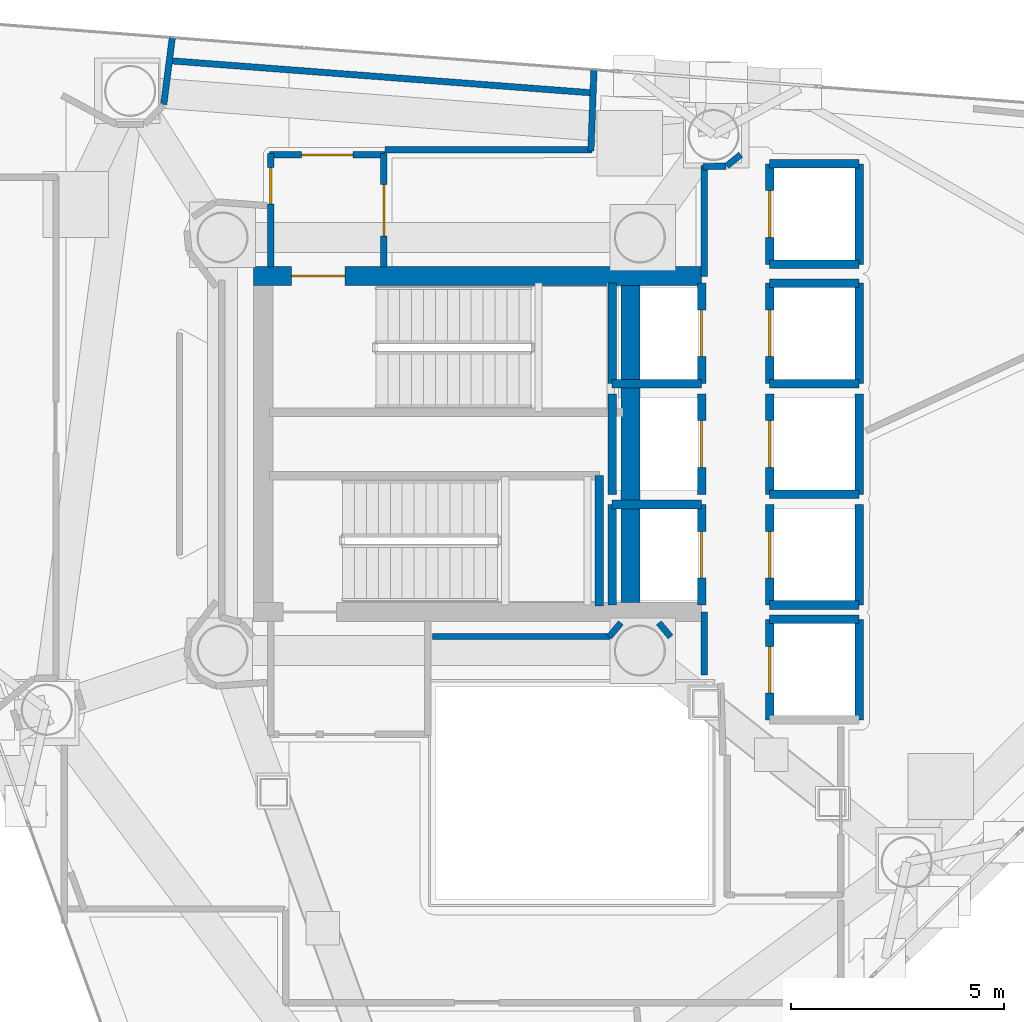
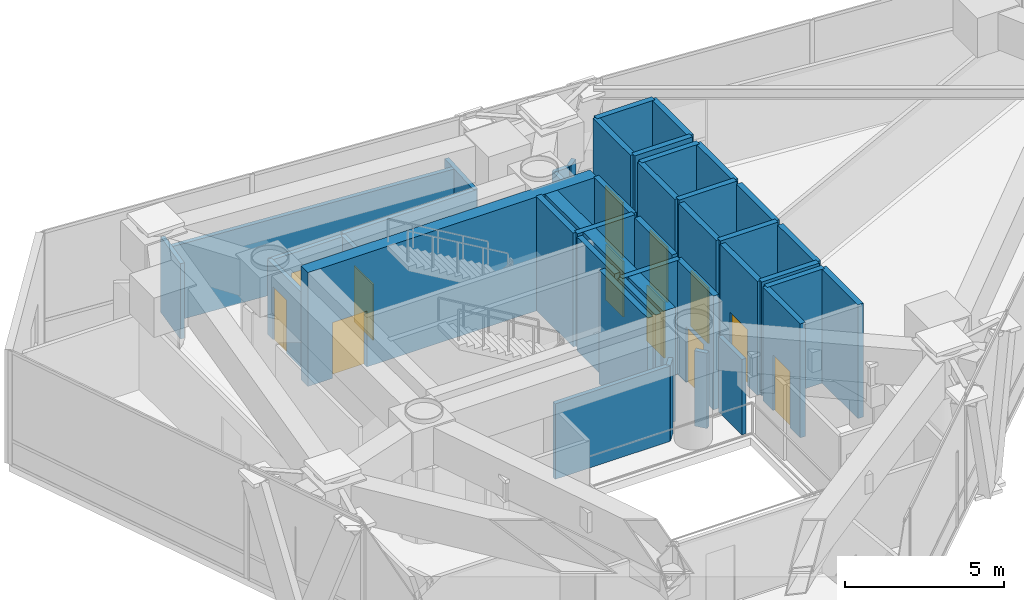
# One storey, part 17 of 20: 42 walls, 12 doors, 12 openings.
"""IFC4 building model written with IfcOpenShell, lengths in metres."""

from ifc_helpers import new_model, si_unit, direction, frame, frame_2d, origin, place, context, subcontext, project, spatial, rectangle, extrude, material, layer, layer_set, type_object, element, fill, save


model = new_model("IFC4")

# Units and contexts
model_context = context("Model", 3, precision=1e-05, world=origin(), true_north=direction((0.0, 1.0)))
body_context = subcontext(model_context, "Body", "Model", "MODEL_VIEW")
ifc_project = project(units=[si_unit("LENGTHUNIT", "METRE"), si_unit("AREAUNIT", "SQUARE_METRE"), si_unit("VOLUMEUNIT", "CUBIC_METRE"), si_unit("PLANEANGLEUNIT", "RADIAN"), si_unit("MASSUNIT", "GRAM", prefix="KILO")], contexts=[model_context])

# Site, building, storey
site_placement = place(None, origin())
site = spatial("IfcSite", under=ifc_project, at=site_placement, CompositionType="ELEMENT")
building_placement = place(site_placement, origin())
building = spatial("IfcBuilding", under=site, at=building_placement, Name="Qianvela Tower", CompositionType="ELEMENT")
storey_placement = place(building_placement, frame((0.0, 0.0, 229.89990234375)))
storey = spatial("IfcBuildingStorey", under=building, at=storey_placement, Name="L59", CompositionType="ELEMENT", Elevation=229.89990234375)

# Wall, opening, door
ifc_material_1 = material(Name="Concrete C50", Category="concrete")
ifc_layer_1 = layer(ifc_material_1, 0.449951171875)
ifc_layer_set_1 = layer_set([ifc_layer_1], Name="Concrete C50")
wall_type_1 = type_object("IfcWallType", Name="WT-CORE-450", PredefinedType="SHEAR", material=ifc_layer_set_1)
wall_1_placement = place(storey_placement, frame((29.330078125, 32.64501953125, 0.0), z_axis=(0.0, 0.0, 1.0), x_axis=(1.0, 0.0, 0.0)))
wall_1 = element("IfcWall", 1, at=wall_1_placement, inside=storey, type_object=wall_type_1, Name="L59 North Core Shear Wall", PredefinedType="SHEAR", context=body_context, shape_type="SweptSolid", body=[
    extrude(rectangle(XDim=10.52001953125, YDim=0.449951171875, at=frame_2d((5.260009765625, 0.0))), origin(), (0.0, 0.0, 1.0), 4.380126953125),
])
opening_1_placement = place(wall_1_placement, frame((0.89501953125, 0.0, 0.0)))
opening_1 = element("IfcOpeningElement", 2, at=opening_1_placement, cuts=wall_1, Name="Opening D-ST1", PredefinedType="OPENING", context=body_context, shape_type="SweptSolid", body=[
    extrude(rectangle(XDim=1.25, YDim=2.14990234375, at=frame_2d((0.625, 1.074951171875))), frame((0.0, 0.23486328125, 0.0), z_axis=(0.0, -1.0, 0.0), x_axis=(1.0, 0.0, 0.0)), (0.0, 0.0, 1.0), 0.469970703125),
])
ifc_material_2 = material(Name="Galvanised Fire Steel Q355B", Category="steel")
door_type_1 = type_object("IfcDoorType", Name="DT-STAIR-FD90", OperationType="NOTDEFINED", PredefinedType="DOOR", material=ifc_material_2)
door_1_placement = place(opening_1_placement, origin())
door_1 = element("IfcDoor", 3, at=door_1_placement, inside=storey, type_object=door_type_1, Name="L59 Stair ST-1 Exit Door", OperationType="SINGLE_SWING_RIGHT", OverallHeight=2.14990234375, OverallWidth=1.25, PredefinedType="DOOR", context=body_context, shape_type="SweptSolid", body=[
    extrude(rectangle(XDim=1.25, YDim=2.14990234375, at=frame_2d((0.625, 1.074951171875))), frame((0.0, 0.02490234375, 0.0), z_axis=(0.0, -1.0, 0.0), x_axis=(1.0, 0.0, 0.0)), (0.0, 0.0, 1.0), 0.050048828125),
])
fill(opening_1, door_1)

# Wall
wall_2_placement = place(storey_placement, frame((38.179931640625, 24.97998046875, 0.0), z_axis=(0.0, 0.0, 1.0), x_axis=(0.0, 1.0, 0.0)))
element("IfcWall", 4, at=wall_2_placement, inside=storey, type_object=wall_type_1, Name="L59 East Spine Core Shear Wall", PredefinedType="SHEAR", context=body_context, shape_type="SweptSolid", body=[
    extrude(rectangle(XDim=7.43994140625, YDim=0.449951171875, at=frame_2d((3.719970703125, 0.0))), origin(), (0.0, 0.0, 1.0), 4.380126953125),
])

# Wall, opening, door
ifc_material_3 = material(Name="Fire-Rated Acoustic Gypsum Board")
ifc_layer_2 = layer(ifc_material_3, 0.14990234375)
ifc_layer_set_2 = layer_set([ifc_layer_2], Name="Fire-Rated Acoustic Gypsum Board")
wall_type_2 = type_object("IfcWallType", Name="WT-CORR-150", PredefinedType="PARTITIONING", material=ifc_layer_set_2)
wall_3_placement = place(storey_placement, frame((29.73095703125, 32.85791015625, 0.0), z_axis=(0.0, 0.0, 1.0), x_axis=(0.0, 1.0, 0.0)))
wall_3 = element("IfcWall", 5, at=wall_3_placement, inside=storey, type_object=wall_type_2, Name="L59 Partition 2", PredefinedType="PARTITIONING", context=body_context, shape_type="SweptSolid", body=[
    extrude(rectangle(XDim=2.662109375, YDim=0.14990234375, at=frame_2d((1.3310546875, 0.0))), origin(), (0.0, 0.0, 1.0), 2.900146484375),
])
opening_2_placement = place(wall_3_placement, frame((1.478271484375, 0.0, 0.0)))
opening_2 = element("IfcOpeningElement", 6, at=opening_2_placement, cuts=wall_3, Name="Opening D-LB2", PredefinedType="OPENING", context=body_context, shape_type="SweptSolid", body=[
    extrude(rectangle(XDim=0.860107421875, YDim=2.050048828125, at=frame_2d((0.43017578125, 1.02490234375))), frame((0.0, 0.0849609375, 0.0), z_axis=(0.0, -1.0, 0.0), x_axis=(1.0, 0.0, 0.0)), (0.0, 0.0, 1.0), 0.169921875),
])
ifc_material_4 = material(Name="Insulated Steel Fire Door Q355B", Category="steel")
door_type_2 = type_object("IfcDoorType", Name="DT-LOBBY-FD90-860", OperationType="NOTDEFINED", PredefinedType="DOOR", material=ifc_material_4)
door_2_placement = place(opening_2_placement, origin())
door_2 = element("IfcDoor", 7, at=door_2_placement, inside=storey, type_object=door_type_2, Name="L59 Door L59 Firefighting Lobby North to L59 Mechanical Plant Corridor", OperationType="SINGLE_SWING_LEFT", OverallHeight=2.050048828125, OverallWidth=0.860107421875, PredefinedType="DOOR", context=body_context, shape_type="SweptSolid", body=[
    extrude(rectangle(XDim=0.860107421875, YDim=2.050048828125, at=frame_2d((0.43017578125, 1.02490234375))), frame((0.0, 0.02490234375, 0.0), z_axis=(0.0, -1.0, 0.0), x_axis=(1.0, 0.0, 0.0)), (0.0, 0.0, 1.0), 0.050048828125),
])
fill(opening_2, door_2)

wall_4_placement = place(storey_placement, frame((29.699951171875, 35.489013671875, 0.0), z_axis=(0.0, 0.0, 1.0), x_axis=(1.0, 0.0, 0.0)))
wall_4 = element("IfcWall", 8, at=wall_4_placement, inside=storey, type_object=wall_type_2, Name="L59 Partition 3", PredefinedType="PARTITIONING", context=body_context, shape_type="SweptSolid", body=[
    extrude(rectangle(XDim=2.719970703125, YDim=0.14990234375, at=frame_2d((1.35986328125, 0.0))), origin(), (0.0, 0.0, 1.0), 2.900146484375),
])
opening_3_placement = place(wall_4_placement, frame((0.760009765625, 0.0, 0.0)))
opening_3 = element("IfcOpeningElement", 9, at=opening_3_placement, cuts=wall_4, Name="Opening D-LB1", PredefinedType="OPENING", context=body_context, shape_type="SweptSolid", body=[
    extrude(rectangle(XDim=1.199951171875, YDim=2.14990234375, at=frame_2d((0.60009765625, 1.074951171875))), frame((0.0, 0.0849609375, 0.0), z_axis=(0.0, -1.0, 0.0), x_axis=(1.0, 0.0, 0.0)), (0.0, 0.0, 1.0), 0.169921875),
])
ifc_material_5 = material(Name="Glazed Fire-Rated Steel Frame", Category="steel")
door_type_3 = type_object("IfcDoorType", Name="DT-LOBBY-FD90", OperationType="NOTDEFINED", PredefinedType="DOOR", material=ifc_material_5)
door_3_placement = place(opening_3_placement, origin())
door_3 = element("IfcDoor", 10, at=door_3_placement, inside=storey, type_object=door_type_3, Name="L59 Door L59 Firefighting Lobby North to L59 Mechanical Plant Corridor", OperationType="SINGLE_SWING_LEFT", OverallHeight=2.14990234375, OverallWidth=1.199951171875, PredefinedType="DOOR", context=body_context, shape_type="SweptSolid", body=[
    extrude(rectangle(XDim=1.199951171875, YDim=2.14990234375, at=frame_2d((0.60009765625, 1.074951171875))), frame((0.0, 0.02490234375, 0.0), z_axis=(0.0, -1.0, 0.0), x_axis=(1.0, 0.0, 0.0)), (0.0, 0.0, 1.0), 0.050048828125),
])
fill(opening_3, door_3)

wall_5_placement = place(storey_placement, frame((32.388916015625, 35.52001953125, 0.0), z_axis=(0.0, 0.0, 1.0), x_axis=(0.0, -1.0, 0.0)))
wall_5 = element("IfcWall", 11, at=wall_5_placement, inside=storey, type_object=wall_type_2, Name="L59 Partition 4", PredefinedType="PARTITIONING", context=body_context, shape_type="SweptSolid", body=[
    extrude(rectangle(XDim=2.662109375, YDim=0.14990234375, at=frame_2d((1.3310546875, 0.0))), origin(), (0.0, 0.0, 1.0), 2.900146484375),
])
opening_4_placement = place(wall_5_placement, frame((0.73095703125, 0.0, 0.0)))
opening_4 = element("IfcOpeningElement", 12, at=opening_4_placement, cuts=wall_5, Name="Opening D-LB1", PredefinedType="OPENING", context=body_context, shape_type="SweptSolid", body=[
    extrude(rectangle(XDim=1.199951171875, YDim=2.14990234375, at=frame_2d((0.60009765625, 1.074951171875))), frame((0.0, 0.0849609375, 0.0), z_axis=(0.0, -1.0, 0.0), x_axis=(1.0, 0.0, 0.0)), (0.0, 0.0, 1.0), 0.169921875),
])
door_4_placement = place(opening_4_placement, origin())
door_4 = element("IfcDoor", 13, at=door_4_placement, inside=storey, type_object=door_type_3, Name="L59 Door L59 Fire Refuge Area 3 to L59 Firefighting Lobby North", OperationType="SINGLE_SWING_LEFT", OverallHeight=2.14990234375, OverallWidth=1.199951171875, PredefinedType="DOOR", context=body_context, shape_type="SweptSolid", body=[
    extrude(rectangle(XDim=1.199951171875, YDim=2.14990234375, at=frame_2d((0.60009765625, 1.074951171875))), frame((0.0, 0.02490234375, 0.0), z_axis=(0.0, -1.0, 0.0), x_axis=(1.0, 0.0, 0.0)), (0.0, 0.0, 1.0), 0.050048828125),
])
fill(opening_4, door_4)

# Walls
wall_6_placement = place(storey_placement, frame((39.910888671875, 23.280029296875, 0.0), z_axis=(0.0, 0.0, 1.0), x_axis=(0.0, 1.0, 0.0)))
element("IfcWall", 14, at=wall_6_placement, inside=storey, type_object=wall_type_2, Name="L59 Partition 10", PredefinedType="PARTITIONING", context=body_context, shape_type="SweptSolid", body=[
    extrude(rectangle(XDim=1.47998046875, YDim=0.14990234375, at=frame_2d((0.739990234375, 0.0))), origin(), (0.0, 0.0, 1.0), 2.900146484375),
])
wall_7_placement = place(storey_placement, frame((39.910888671875, 32.639892578125, 0.0), z_axis=(0.0, 0.0, 1.0), x_axis=(0.0, 1.0, 0.0)))
element("IfcWall", 15, at=wall_7_placement, inside=storey, type_object=wall_type_2, Name="L59 Partition 12", PredefinedType="PARTITIONING", context=body_context, shape_type="SweptSolid", body=[
    extrude(rectangle(XDim=2.60400390625, YDim=0.14990234375, at=frame_2d((1.302001953125, 0.0))), origin(), (0.0, 0.0, 1.0), 2.900146484375),
])
wall_8_placement = place(storey_placement, frame((39.880615234375, 35.212890625, 0.0), z_axis=(0.0, 0.0, 1.0), x_axis=(0.999756500784, 0.02206669754, 0.0)))
element("IfcWall", 16, at=wall_8_placement, inside=storey, type_object=wall_type_2, Name="L59 Partition 13", PredefinedType="PARTITIONING", context=body_context, shape_type="SweptSolid", body=[
    extrude(rectangle(XDim=0.542236328125, YDim=0.14990234375, at=frame_2d((0.27099609375, 0.0))), origin(), (0.0, 0.0, 1.0), 2.900146484375),
])
wall_9_placement = place(storey_placement, frame((40.44140625, 35.231689453125, 0.0), z_axis=(0.0, 0.0, 1.0), x_axis=(0.778714564707, 0.627378376033, 0.0)))
element("IfcWall", 17, at=wall_9_placement, inside=storey, type_object=wall_type_2, Name="L59 Partition 14", PredefinedType="PARTITIONING", context=body_context, shape_type="SweptSolid", body=[
    extrude(rectangle(XDim=0.421142578125, YDim=0.14990234375, at=frame_2d((0.21044921875, 0.0))), origin(), (0.0, 0.0, 1.0), 2.900146484375),
])
for number, where, z_axis, x_axis, name in (
    (18, (39.12109375, 24.169921875, 0.0), (0.0, 0.0, 1.0), (-0.638008265708, 0.770029514296, 0.0), "L59 Partition 31"),
    (19, (37.953857421875, 24.501708984375, 0.0), (0.0, 0.0, 1.0), (-0.638008265708, -0.770029514296, 0.0), "L59 Partition 34"),
):
    element("IfcWall", number, at=place(storey_placement, frame(where, z_axis=z_axis, x_axis=x_axis)), inside=storey, type_object=wall_type_2, Name=name, PredefinedType="PARTITIONING", context=body_context, shape_type="SweptSolid", body=[
        extrude(rectangle(XDim=0.430908203125, YDim=0.14990234375, at=frame_2d((0.21533203125, 0.0))), origin(), (0.0, 0.0, 1.0), 2.900146484375),
    ])
wall_10_placement = place(storey_placement, frame((37.70263671875, 24.180908203125, 0.0), z_axis=(0.0, 0.0, 1.0), x_axis=(-1.0, 0.0, 0.0)))
element("IfcWall", 20, at=wall_10_placement, inside=storey, type_object=wall_type_2, Name="L59 Partition 35", PredefinedType="PARTITIONING", context=body_context, shape_type="SweptSolid", body=[
    extrude(rectangle(XDim=4.172607421875, YDim=0.14990234375, at=frame_2d((2.08642578125, 0.0))), origin(), (0.0, 0.0, 1.0), 2.900146484375),
])
wall_11_placement = place(storey_placement, frame((27.21923828125, 36.67431640625, 0.0), z_axis=(0.0, 0.0, 1.0), x_axis=(0.127378788814, 0.9918541446, 0.0)))
element("IfcWall", 21, at=wall_11_placement, inside=storey, type_object=wall_type_2, Name="L59 Partition 48", PredefinedType="PARTITIONING", context=body_context, shape_type="SweptSolid", body=[
    extrude(rectangle(XDim=1.608154296875, YDim=0.14990234375, at=frame_2d((0.80419921875, 0.0))), origin(), (0.0, 0.0, 1.0), 2.900146484375),
])
wall_12_placement = place(storey_placement, frame((27.322021484375, 37.704345703125, 0.0), z_axis=(0.0, 0.0, 1.0), x_axis=(0.997115114971, -0.075904199464, 0.0)))
element("IfcWall", 22, at=wall_12_placement, inside=storey, type_object=wall_type_2, Name="L59 Partition 49", PredefinedType="PARTITIONING", context=body_context, shape_type="SweptSolid", body=[
    extrude(rectangle(XDim=10.03857421875, YDim=0.14990234375, at=frame_2d((5.019287109375, 0.0))), origin(), (0.0, 0.0, 1.0), 2.900146484375),
])
wall_13_placement = place(storey_placement, frame((37.323486328125, 37.515625, 0.0), z_axis=(0.0, 0.0, 1.0), x_axis=(-0.03796327397, -0.999279135092, 0.0)))
element("IfcWall", 23, at=wall_13_placement, inside=storey, type_object=wall_type_2, Name="L59 Partition 50", PredefinedType="PARTITIONING", context=body_context, shape_type="SweptSolid", body=[
    extrude(rectangle(XDim=1.935791015625, YDim=0.14990234375, at=frame_2d((0.9677734375, 0.0))), origin(), (0.0, 0.0, 1.0), 2.900146484375),
])
wall_14_placement = place(storey_placement, frame((37.281005859375, 35.611083984375, 0.0), z_axis=(0.0, 0.0, 1.0), x_axis=(-0.999999994955, 0.000100446989, 0.0)))
element("IfcWall", 24, at=wall_14_placement, inside=storey, type_object=wall_type_2, Name="L59 Partition 51 seg 1", PredefinedType="PARTITIONING", context=body_context, shape_type="SweptSolid", body=[
    extrude(rectangle(XDim=4.861083984375, YDim=0.14990234375, at=frame_2d((2.4306640625, 0.0))), origin(), (0.0, 0.0, 1.0), 2.900146484375),
])
ifc_material_6 = material(Name="Concrete C50", Category="concrete")
ifc_layer_3 = layer(ifc_material_6, 0.199951171875)
ifc_layer_set_3 = layer_set([ifc_layer_3], Name="Concrete C50")
wall_type_3 = type_object("IfcWallType", Name="WT-SHAFT-200", PredefinedType="SOLIDWALL", material=ifc_layer_set_3)
wall_15_placement = place(storey_placement, frame((37.449951171875, 24.89990234375, 0.0), z_axis=(0.0, 0.0, 1.0), x_axis=(0.0, 1.0, 0.0)))
element("IfcWall", 25, at=wall_15_placement, inside=storey, type_object=wall_type_3, Name="L59 Stair ST-2 East Wall", PredefinedType="SOLIDWALL", context=body_context, shape_type="SweptSolid", body=[
    extrude(rectangle(XDim=3.06005859375, YDim=0.199951171875, at=frame_2d((1.530029296875, 0.0))), origin(), (0.0, 0.0, 1.0), 4.380126953125),
])

# Wall, opening, door
wall_16_placement = place(storey_placement, frame((39.85009765625, 30.1201171875, 0.0), z_axis=(0.0, 0.0, 1.0), x_axis=(0.0, 1.0, 0.0)))
wall_16 = element("IfcWall", 26, at=wall_16_placement, inside=storey, type_object=wall_type_3, Name="L59 Lift FL-1 E Shaft Wall", PredefinedType="SOLIDWALL", context=body_context, shape_type="SweptSolid", body=[
    extrude(rectangle(XDim=2.35986328125, YDim=0.199951171875, at=frame_2d((1.179931640625, 0.0))), origin(), (0.0, 0.0, 1.0), 4.380126953125),
])
opening_5_placement = place(wall_16_placement, frame((0.6298828125, 0.0, 0.0)))
opening_5 = element("IfcOpeningElement", 27, at=opening_5_placement, cuts=wall_16, Name="Opening LD-01", PredefinedType="OPENING", context=body_context, shape_type="SweptSolid", body=[
    extrude(rectangle(XDim=1.10009765625, YDim=2.14990234375, at=frame_2d((0.550048828125, 1.074951171875))), frame((0.0, 0.10986328125, 0.0), z_axis=(0.0, -1.0, 0.0), x_axis=(1.0, 0.0, 0.0)), (0.0, 0.0, 1.0), 0.219970703125),
])
ifc_material_7 = material(Name="Brushed Stainless Steel Lift Landing Door", Category="steel")
door_type_4 = type_object("IfcDoorType", Name="DT-LIFT-SLIDE-1100", OperationType="SLIDING_TO_LEFT", PredefinedType="DOOR", material=ifc_material_7)
door_5_placement = place(opening_5_placement, origin())
door_5 = element("IfcDoor", 28, at=door_5_placement, inside=storey, type_object=door_type_4, Name="L59 Lift FL-1 Sliding Landing Door", OperationType="SLIDING_TO_LEFT", OverallHeight=2.14990234375, OverallWidth=1.10009765625, PredefinedType="DOOR", context=body_context, shape_type="SweptSolid", body=[
    extrude(rectangle(XDim=1.10009765625, YDim=2.14990234375, at=frame_2d((0.550048828125, 1.074951171875))), frame((0.0, 0.02490234375, 0.0), z_axis=(0.0, -1.0, 0.0), x_axis=(1.0, 0.0, 0.0)), (0.0, 0.0, 1.0), 0.050048828125),
])
fill(opening_5, door_5)

# Walls
wall_17_placement = place(storey_placement, frame((37.75, 30.1201171875, 0.0), z_axis=(0.0, 0.0, 1.0), x_axis=(0.0, 1.0, 0.0)))
element("IfcWall", 29, at=wall_17_placement, inside=storey, type_object=wall_type_3, Name="L59 Lift FL-1 W Shaft Wall", PredefinedType="SOLIDWALL", context=body_context, shape_type="SweptSolid", body=[
    extrude(rectangle(XDim=2.35986328125, YDim=0.199951171875, at=frame_2d((1.179931640625, 0.0))), origin(), (0.0, 0.0, 1.0), 4.380126953125),
])
wall_18_placement = place(storey_placement, frame((37.75, 30.1201171875, 0.0), z_axis=(0.0, 0.0, 1.0), x_axis=(1.0, 0.0, 0.0)))
element("IfcWall", 30, at=wall_18_placement, inside=storey, type_object=wall_type_3, Name="L59 Lift FL-1 S Shaft Wall", PredefinedType="SOLIDWALL", context=body_context, shape_type="SweptSolid", body=[
    extrude(rectangle(XDim=2.10009765625, YDim=0.199951171875, at=frame_2d((1.050048828125, 0.0))), origin(), (0.0, 0.0, 1.0), 4.380126953125),
])

# Wall, opening, door
wall_19_placement = place(storey_placement, frame((39.85009765625, 24.919921875, 0.0), z_axis=(0.0, 0.0, 1.0), x_axis=(0.0, 1.0, 0.0)))
wall_19 = element("IfcWall", 31, at=wall_19_placement, inside=storey, type_object=wall_type_3, Name="L59 Lift FL-2 E Shaft Wall", PredefinedType="SOLIDWALL", context=body_context, shape_type="SweptSolid", body=[
    extrude(rectangle(XDim=2.360107421875, YDim=0.199951171875, at=frame_2d((1.18017578125, 0.0))), origin(), (0.0, 0.0, 1.0), 4.380126953125),
])
opening_6_placement = place(wall_19_placement, frame((0.6298828125, 0.0, 0.0)))
opening_6 = element("IfcOpeningElement", 32, at=opening_6_placement, cuts=wall_19, Name="Opening LD-01", PredefinedType="OPENING", context=body_context, shape_type="SweptSolid", body=[
    extrude(rectangle(XDim=1.10009765625, YDim=2.14990234375, at=frame_2d((0.550048828125, 1.074951171875))), frame((0.0, 0.10986328125, 0.0), z_axis=(0.0, -1.0, 0.0), x_axis=(1.0, 0.0, 0.0)), (0.0, 0.0, 1.0), 0.219970703125),
])
door_6_placement = place(opening_6_placement, origin())
door_6 = element("IfcDoor", 33, at=door_6_placement, inside=storey, type_object=door_type_4, Name="L59 Lift FL-2 Sliding Landing Door", OperationType="SLIDING_TO_LEFT", OverallHeight=2.14990234375, OverallWidth=1.10009765625, PredefinedType="DOOR", context=body_context, shape_type="SweptSolid", body=[
    extrude(rectangle(XDim=1.10009765625, YDim=2.14990234375, at=frame_2d((0.550048828125, 1.074951171875))), frame((0.0, 0.02490234375, 0.0), z_axis=(0.0, -1.0, 0.0), x_axis=(1.0, 0.0, 0.0)), (0.0, 0.0, 1.0), 0.050048828125),
])
fill(opening_6, door_6)

# Walls
wall_20_placement = place(storey_placement, frame((37.75, 24.919921875, 0.0), z_axis=(0.0, 0.0, 1.0), x_axis=(0.0, 1.0, 0.0)))
element("IfcWall", 34, at=wall_20_placement, inside=storey, type_object=wall_type_3, Name="L59 Lift FL-2 W Shaft Wall", PredefinedType="SOLIDWALL", context=body_context, shape_type="SweptSolid", body=[
    extrude(rectangle(XDim=2.360107421875, YDim=0.199951171875, at=frame_2d((1.18017578125, 0.0))), origin(), (0.0, 0.0, 1.0), 4.380126953125),
])
wall_21_placement = place(storey_placement, frame((37.75, 27.280029296875, 0.0), z_axis=(0.0, 0.0, 1.0), x_axis=(1.0, 0.0, 0.0)))
element("IfcWall", 35, at=wall_21_placement, inside=storey, type_object=wall_type_3, Name="L59 Lift FL-2 N Shaft Wall", PredefinedType="SOLIDWALL", context=body_context, shape_type="SweptSolid", body=[
    extrude(rectangle(XDim=2.10009765625, YDim=0.199951171875, at=frame_2d((1.050048828125, 0.0))), origin(), (0.0, 0.0, 1.0), 4.380126953125),
])
wall_22_placement = place(storey_placement, frame((43.550048828125, 30.1201171875, 0.0), z_axis=(0.0, 0.0, 1.0), x_axis=(0.0, 1.0, 0.0)))
element("IfcWall", 36, at=wall_22_placement, inside=storey, type_object=wall_type_3, Name="L59 Lift PL-M1 E Shaft Wall", PredefinedType="SOLIDWALL", context=body_context, shape_type="SweptSolid", body=[
    extrude(rectangle(XDim=2.35986328125, YDim=0.199951171875, at=frame_2d((1.179931640625, 0.0))), origin(), (0.0, 0.0, 1.0), 4.380126953125),
])

# Wall, opening, door
wall_23_placement = place(storey_placement, frame((41.449951171875, 30.1201171875, 0.0), z_axis=(0.0, 0.0, 1.0), x_axis=(0.0, 1.0, 0.0)))
wall_23 = element("IfcWall", 37, at=wall_23_placement, inside=storey, type_object=wall_type_3, Name="L59 Lift PL-M1 W Shaft Wall", PredefinedType="SOLIDWALL", context=body_context, shape_type="SweptSolid", body=[
    extrude(rectangle(XDim=2.35986328125, YDim=0.199951171875, at=frame_2d((1.179931640625, 0.0))), origin(), (0.0, 0.0, 1.0), 4.380126953125),
])
opening_7_placement = place(wall_23_placement, frame((0.6298828125, 0.0, 0.0)))
opening_7 = element("IfcOpeningElement", 38, at=opening_7_placement, cuts=wall_23, Name="Opening LD-01", PredefinedType="OPENING", context=body_context, shape_type="SweptSolid", body=[
    extrude(rectangle(XDim=1.10009765625, YDim=2.14990234375, at=frame_2d((0.550048828125, 1.074951171875))), frame((0.0, 0.10986328125, 0.0), z_axis=(0.0, -1.0, 0.0), x_axis=(1.0, 0.0, 0.0)), (0.0, 0.0, 1.0), 0.219970703125),
])
door_7_placement = place(opening_7_placement, origin())
door_7 = element("IfcDoor", 39, at=door_7_placement, inside=storey, type_object=door_type_4, Name="L59 Lift PL-M1 Sliding Landing Door", OperationType="SLIDING_TO_LEFT", OverallHeight=2.14990234375, OverallWidth=1.10009765625, PredefinedType="DOOR", context=body_context, shape_type="SweptSolid", body=[
    extrude(rectangle(XDim=1.10009765625, YDim=2.14990234375, at=frame_2d((0.550048828125, 1.074951171875))), frame((0.0, 0.02490234375, 0.0), z_axis=(0.0, -1.0, 0.0), x_axis=(1.0, 0.0, 0.0)), (0.0, 0.0, 1.0), 0.050048828125),
])
fill(opening_7, door_7)

# Walls
for number, where, z_axis, x_axis, name in (
    (40, (41.449951171875, 32.47998046875, 0.0), (0.0, 0.0, 1.0), (1.0, 0.0, 0.0), "L59 Lift PL-M1 N Shaft Wall"),
    (41, (41.449951171875, 30.1201171875, 0.0), (0.0, 0.0, 1.0), (1.0, 0.0, 0.0), "L59 Lift PL-M1 S Shaft Wall"),
):
    element("IfcWall", number, at=place(storey_placement, frame(where, z_axis=z_axis, x_axis=x_axis)), inside=storey, type_object=wall_type_3, Name=name, PredefinedType="SOLIDWALL", context=body_context, shape_type="SweptSolid", body=[
        extrude(rectangle(XDim=2.10009765625, YDim=0.199951171875, at=frame_2d((1.050048828125, 0.0))), origin(), (0.0, 0.0, 1.0), 4.380126953125),
    ])
wall_24_placement = place(storey_placement, frame((43.550048828125, 27.52001953125, 0.0), z_axis=(0.0, 0.0, 1.0), x_axis=(0.0, 1.0, 0.0)))
element("IfcWall", 42, at=wall_24_placement, inside=storey, type_object=wall_type_3, Name="L59 Lift PL-M2 E Shaft Wall", PredefinedType="SOLIDWALL", context=body_context, shape_type="SweptSolid", body=[
    extrude(rectangle(XDim=2.35986328125, YDim=0.199951171875, at=frame_2d((1.179931640625, 0.0))), origin(), (0.0, 0.0, 1.0), 4.380126953125),
])

# Wall, opening, door
wall_25_placement = place(storey_placement, frame((41.449951171875, 27.52001953125, 0.0), z_axis=(0.0, 0.0, 1.0), x_axis=(0.0, 1.0, 0.0)))
wall_25 = element("IfcWall", 43, at=wall_25_placement, inside=storey, type_object=wall_type_3, Name="L59 Lift PL-M2 W Shaft Wall", PredefinedType="SOLIDWALL", context=body_context, shape_type="SweptSolid", body=[
    extrude(rectangle(XDim=2.35986328125, YDim=0.199951171875, at=frame_2d((1.179931640625, 0.0))), origin(), (0.0, 0.0, 1.0), 4.380126953125),
])
opening_8_placement = place(wall_25_placement, frame((0.6298828125, 0.0, 0.0)))
opening_8 = element("IfcOpeningElement", 44, at=opening_8_placement, cuts=wall_25, Name="Opening LD-01", PredefinedType="OPENING", context=body_context, shape_type="SweptSolid", body=[
    extrude(rectangle(XDim=1.10009765625, YDim=2.14990234375, at=frame_2d((0.550048828125, 1.074951171875))), frame((0.0, 0.10986328125, 0.0), z_axis=(0.0, -1.0, 0.0), x_axis=(1.0, 0.0, 0.0)), (0.0, 0.0, 1.0), 0.219970703125),
])
door_8_placement = place(opening_8_placement, origin())
door_8 = element("IfcDoor", 45, at=door_8_placement, inside=storey, type_object=door_type_4, Name="L59 Lift PL-M2 Sliding Landing Door", OperationType="SLIDING_TO_LEFT", OverallHeight=2.14990234375, OverallWidth=1.10009765625, PredefinedType="DOOR", context=body_context, shape_type="SweptSolid", body=[
    extrude(rectangle(XDim=1.10009765625, YDim=2.14990234375, at=frame_2d((0.550048828125, 1.074951171875))), frame((0.0, 0.02490234375, 0.0), z_axis=(0.0, -1.0, 0.0), x_axis=(1.0, 0.0, 0.0)), (0.0, 0.0, 1.0), 0.050048828125),
])
fill(opening_8, door_8)

# Walls
wall_26_placement = place(storey_placement, frame((41.449951171875, 27.52001953125, 0.0), z_axis=(0.0, 0.0, 1.0), x_axis=(1.0, 0.0, 0.0)))
element("IfcWall", 46, at=wall_26_placement, inside=storey, type_object=wall_type_3, Name="L59 Lift PL-M2 S Shaft Wall", PredefinedType="SOLIDWALL", context=body_context, shape_type="SweptSolid", body=[
    extrude(rectangle(XDim=2.10009765625, YDim=0.199951171875, at=frame_2d((1.050048828125, 0.0))), origin(), (0.0, 0.0, 1.0), 4.380126953125),
])
wall_27_placement = place(storey_placement, frame((43.550048828125, 24.919921875, 0.0), z_axis=(0.0, 0.0, 1.0), x_axis=(0.0, 1.0, 0.0)))
element("IfcWall", 47, at=wall_27_placement, inside=storey, type_object=wall_type_3, Name="L59 Lift PL-M3 E Shaft Wall", PredefinedType="SOLIDWALL", context=body_context, shape_type="SweptSolid", body=[
    extrude(rectangle(XDim=2.360107421875, YDim=0.199951171875, at=frame_2d((1.18017578125, 0.0))), origin(), (0.0, 0.0, 1.0), 4.380126953125),
])

# Wall, opening, door
wall_28_placement = place(storey_placement, frame((41.449951171875, 24.919921875, 0.0), z_axis=(0.0, 0.0, 1.0), x_axis=(0.0, 1.0, 0.0)))
wall_28 = element("IfcWall", 48, at=wall_28_placement, inside=storey, type_object=wall_type_3, Name="L59 Lift PL-M3 W Shaft Wall", PredefinedType="SOLIDWALL", context=body_context, shape_type="SweptSolid", body=[
    extrude(rectangle(XDim=2.360107421875, YDim=0.199951171875, at=frame_2d((1.18017578125, 0.0))), origin(), (0.0, 0.0, 1.0), 4.380126953125),
])
opening_9_placement = place(wall_28_placement, frame((0.6298828125, 0.0, 0.0)))
opening_9 = element("IfcOpeningElement", 49, at=opening_9_placement, cuts=wall_28, Name="Opening LD-01", PredefinedType="OPENING", context=body_context, shape_type="SweptSolid", body=[
    extrude(rectangle(XDim=1.10009765625, YDim=2.14990234375, at=frame_2d((0.550048828125, 1.074951171875))), frame((0.0, 0.10986328125, 0.0), z_axis=(0.0, -1.0, 0.0), x_axis=(1.0, 0.0, 0.0)), (0.0, 0.0, 1.0), 0.219970703125),
])
door_9_placement = place(opening_9_placement, origin())
door_9 = element("IfcDoor", 50, at=door_9_placement, inside=storey, type_object=door_type_4, Name="L59 Lift PL-M3 Sliding Landing Door", OperationType="SLIDING_TO_LEFT", OverallHeight=2.14990234375, OverallWidth=1.10009765625, PredefinedType="DOOR", context=body_context, shape_type="SweptSolid", body=[
    extrude(rectangle(XDim=1.10009765625, YDim=2.14990234375, at=frame_2d((0.550048828125, 1.074951171875))), frame((0.0, 0.02490234375, 0.0), z_axis=(0.0, -1.0, 0.0), x_axis=(1.0, 0.0, 0.0)), (0.0, 0.0, 1.0), 0.050048828125),
])
fill(opening_9, door_9)

# Wall
wall_29_placement = place(storey_placement, frame((41.449951171875, 24.919921875, 0.0), z_axis=(0.0, 0.0, 1.0), x_axis=(1.0, 0.0, 0.0)))
element("IfcWall", 51, at=wall_29_placement, inside=storey, type_object=wall_type_3, Name="L59 Lift PL-M3 S Shaft Wall", PredefinedType="SOLIDWALL", context=body_context, shape_type="SweptSolid", body=[
    extrude(rectangle(XDim=2.10009765625, YDim=0.199951171875, at=frame_2d((1.050048828125, 0.0))), origin(), (0.0, 0.0, 1.0), 4.380126953125),
])

# Wall, opening, door
wall_30_placement = place(storey_placement, frame((39.85009765625, 27.52001953125, 0.0), z_axis=(0.0, 0.0, 1.0), x_axis=(0.0, 1.0, 0.0)))
wall_30 = element("IfcWall", 52, at=wall_30_placement, inside=storey, type_object=wall_type_3, Name="L59 Lift PL-H1 E Shaft Wall", PredefinedType="SOLIDWALL", context=body_context, shape_type="SweptSolid", body=[
    extrude(rectangle(XDim=2.35986328125, YDim=0.199951171875, at=frame_2d((1.179931640625, 0.0))), origin(), (0.0, 0.0, 1.0), 4.380126953125),
])
opening_10_placement = place(wall_30_placement, frame((0.6298828125, 0.0, 0.0)))
opening_10 = element("IfcOpeningElement", 53, at=opening_10_placement, cuts=wall_30, Name="Opening LD-01", PredefinedType="OPENING", context=body_context, shape_type="SweptSolid", body=[
    extrude(rectangle(XDim=1.10009765625, YDim=2.14990234375, at=frame_2d((0.550048828125, 1.074951171875))), frame((0.0, 0.10986328125, 0.0), z_axis=(0.0, -1.0, 0.0), x_axis=(1.0, 0.0, 0.0)), (0.0, 0.0, 1.0), 0.219970703125),
])
door_10_placement = place(opening_10_placement, origin())
door_10 = element("IfcDoor", 54, at=door_10_placement, inside=storey, type_object=door_type_4, Name="L59 Lift PL-H1 Sliding Landing Door", OperationType="SLIDING_TO_LEFT", OverallHeight=2.14990234375, OverallWidth=1.10009765625, PredefinedType="DOOR", context=body_context, shape_type="SweptSolid", body=[
    extrude(rectangle(XDim=1.10009765625, YDim=2.14990234375, at=frame_2d((0.550048828125, 1.074951171875))), frame((0.0, 0.02490234375, 0.0), z_axis=(0.0, -1.0, 0.0), x_axis=(1.0, 0.0, 0.0)), (0.0, 0.0, 1.0), 0.050048828125),
])
fill(opening_10, door_10)

# Walls
wall_31_placement = place(storey_placement, frame((37.75, 27.52001953125, 0.0), z_axis=(0.0, 0.0, 1.0), x_axis=(0.0, 1.0, 0.0)))
element("IfcWall", 55, at=wall_31_placement, inside=storey, type_object=wall_type_3, Name="L59 Lift PL-H1 W Shaft Wall", PredefinedType="SOLIDWALL", context=body_context, shape_type="SweptSolid", body=[
    extrude(rectangle(XDim=2.35986328125, YDim=0.199951171875, at=frame_2d((1.179931640625, 0.0))), origin(), (0.0, 0.0, 1.0), 4.380126953125),
])
wall_32_placement = place(storey_placement, frame((43.550048828125, 22.219970703125, 0.0), z_axis=(0.0, 0.0, 1.0), x_axis=(0.0, 1.0, 0.0)))
element("IfcWall", 56, at=wall_32_placement, inside=storey, type_object=wall_type_3, Name="L59 Lift PL-H2 E Shaft Wall", PredefinedType="SOLIDWALL", context=body_context, shape_type="SweptSolid", body=[
    extrude(rectangle(XDim=2.360107421875, YDim=0.199951171875, at=frame_2d((1.18017578125, 0.0))), origin(), (0.0, 0.0, 1.0), 4.380126953125),
])

# Wall, opening, door
wall_33_placement = place(storey_placement, frame((41.449951171875, 22.219970703125, 0.0), z_axis=(0.0, 0.0, 1.0), x_axis=(0.0, 1.0, 0.0)))
wall_33 = element("IfcWall", 57, at=wall_33_placement, inside=storey, type_object=wall_type_3, Name="L59 Lift PL-H2 W Shaft Wall", PredefinedType="SOLIDWALL", context=body_context, shape_type="SweptSolid", body=[
    extrude(rectangle(XDim=2.360107421875, YDim=0.199951171875, at=frame_2d((1.18017578125, 0.0))), origin(), (0.0, 0.0, 1.0), 4.380126953125),
])
opening_11_placement = place(wall_33_placement, frame((0.6298828125, 0.0, 0.0)))
opening_11 = element("IfcOpeningElement", 58, at=opening_11_placement, cuts=wall_33, Name="Opening LD-01", PredefinedType="OPENING", context=body_context, shape_type="SweptSolid", body=[
    extrude(rectangle(XDim=1.10009765625, YDim=2.14990234375, at=frame_2d((0.550048828125, 1.074951171875))), frame((0.0, 0.10986328125, 0.0), z_axis=(0.0, -1.0, 0.0), x_axis=(1.0, 0.0, 0.0)), (0.0, 0.0, 1.0), 0.219970703125),
])
door_11_placement = place(opening_11_placement, origin())
door_11 = element("IfcDoor", 59, at=door_11_placement, inside=storey, type_object=door_type_4, Name="L59 Lift PL-H2 Sliding Landing Door", OperationType="SLIDING_TO_LEFT", OverallHeight=2.14990234375, OverallWidth=1.10009765625, PredefinedType="DOOR", context=body_context, shape_type="SweptSolid", body=[
    extrude(rectangle(XDim=1.10009765625, YDim=2.14990234375, at=frame_2d((0.550048828125, 1.074951171875))), frame((0.0, 0.02490234375, 0.0), z_axis=(0.0, -1.0, 0.0), x_axis=(1.0, 0.0, 0.0)), (0.0, 0.0, 1.0), 0.050048828125),
])
fill(opening_11, door_11)

# Walls
wall_34_placement = place(storey_placement, frame((41.449951171875, 24.580078125, 0.0), z_axis=(0.0, 0.0, 1.0), x_axis=(1.0, 0.0, 0.0)))
element("IfcWall", 60, at=wall_34_placement, inside=storey, type_object=wall_type_3, Name="L59 Lift PL-H2 N Shaft Wall", PredefinedType="SOLIDWALL", context=body_context, shape_type="SweptSolid", body=[
    extrude(rectangle(XDim=2.10009765625, YDim=0.199951171875, at=frame_2d((1.050048828125, 0.0))), origin(), (0.0, 0.0, 1.0), 4.380126953125),
])
wall_35_placement = place(storey_placement, frame((43.550048828125, 32.919921875, 0.0), z_axis=(0.0, 0.0, 1.0), x_axis=(0.0, 1.0, 0.0)))
element("IfcWall", 61, at=wall_35_placement, inside=storey, type_object=wall_type_3, Name="L59 Lift PL-H3 E Shaft Wall", PredefinedType="SOLIDWALL", context=body_context, shape_type="SweptSolid", body=[
    extrude(rectangle(XDim=2.360107421875, YDim=0.199951171875, at=frame_2d((1.18017578125, 0.0))), origin(), (0.0, 0.0, 1.0), 4.380126953125),
])

# Wall, opening, door
wall_36_placement = place(storey_placement, frame((41.449951171875, 32.919921875, 0.0), z_axis=(0.0, 0.0, 1.0), x_axis=(0.0, 1.0, 0.0)))
wall_36 = element("IfcWall", 62, at=wall_36_placement, inside=storey, type_object=wall_type_3, Name="L59 Lift PL-H3 W Shaft Wall", PredefinedType="SOLIDWALL", context=body_context, shape_type="SweptSolid", body=[
    extrude(rectangle(XDim=2.360107421875, YDim=0.199951171875, at=frame_2d((1.18017578125, 0.0))), origin(), (0.0, 0.0, 1.0), 4.380126953125),
])
opening_12_placement = place(wall_36_placement, frame((0.6298828125, 0.0, 0.0)))
opening_12 = element("IfcOpeningElement", 63, at=opening_12_placement, cuts=wall_36, Name="Opening LD-01", PredefinedType="OPENING", context=body_context, shape_type="SweptSolid", body=[
    extrude(rectangle(XDim=1.10009765625, YDim=2.14990234375, at=frame_2d((0.550048828125, 1.074951171875))), frame((0.0, 0.10986328125, 0.0), z_axis=(0.0, -1.0, 0.0), x_axis=(1.0, 0.0, 0.0)), (0.0, 0.0, 1.0), 0.219970703125),
])
door_12_placement = place(opening_12_placement, origin())
door_12 = element("IfcDoor", 64, at=door_12_placement, inside=storey, type_object=door_type_4, Name="L59 Lift PL-H3 Sliding Landing Door", OperationType="SLIDING_TO_LEFT", OverallHeight=2.14990234375, OverallWidth=1.10009765625, PredefinedType="DOOR", context=body_context, shape_type="SweptSolid", body=[
    extrude(rectangle(XDim=1.10009765625, YDim=2.14990234375, at=frame_2d((0.550048828125, 1.074951171875))), frame((0.0, 0.02490234375, 0.0), z_axis=(0.0, -1.0, 0.0), x_axis=(1.0, 0.0, 0.0)), (0.0, 0.0, 1.0), 0.050048828125),
])
fill(opening_12, door_12)

# Walls
for number, where, z_axis, x_axis, name in (
    (65, (41.449951171875, 35.280029296875, 0.0), (0.0, 0.0, 1.0), (1.0, 0.0, 0.0), "L59 Lift PL-H3 N Shaft Wall"),
    (66, (41.449951171875, 32.919921875, 0.0), (0.0, 0.0, 1.0), (1.0, 0.0, 0.0), "L59 Lift PL-H3 S Shaft Wall"),
):
    element("IfcWall", number, at=place(storey_placement, frame(where, z_axis=z_axis, x_axis=x_axis)), inside=storey, type_object=wall_type_3, Name=name, PredefinedType="SOLIDWALL", context=body_context, shape_type="SweptSolid", body=[
        extrude(rectangle(XDim=2.10009765625, YDim=0.199951171875, at=frame_2d((1.050048828125, 0.0))), origin(), (0.0, 0.0, 1.0), 4.380126953125),
    ])

save(model, "model.ifc")
